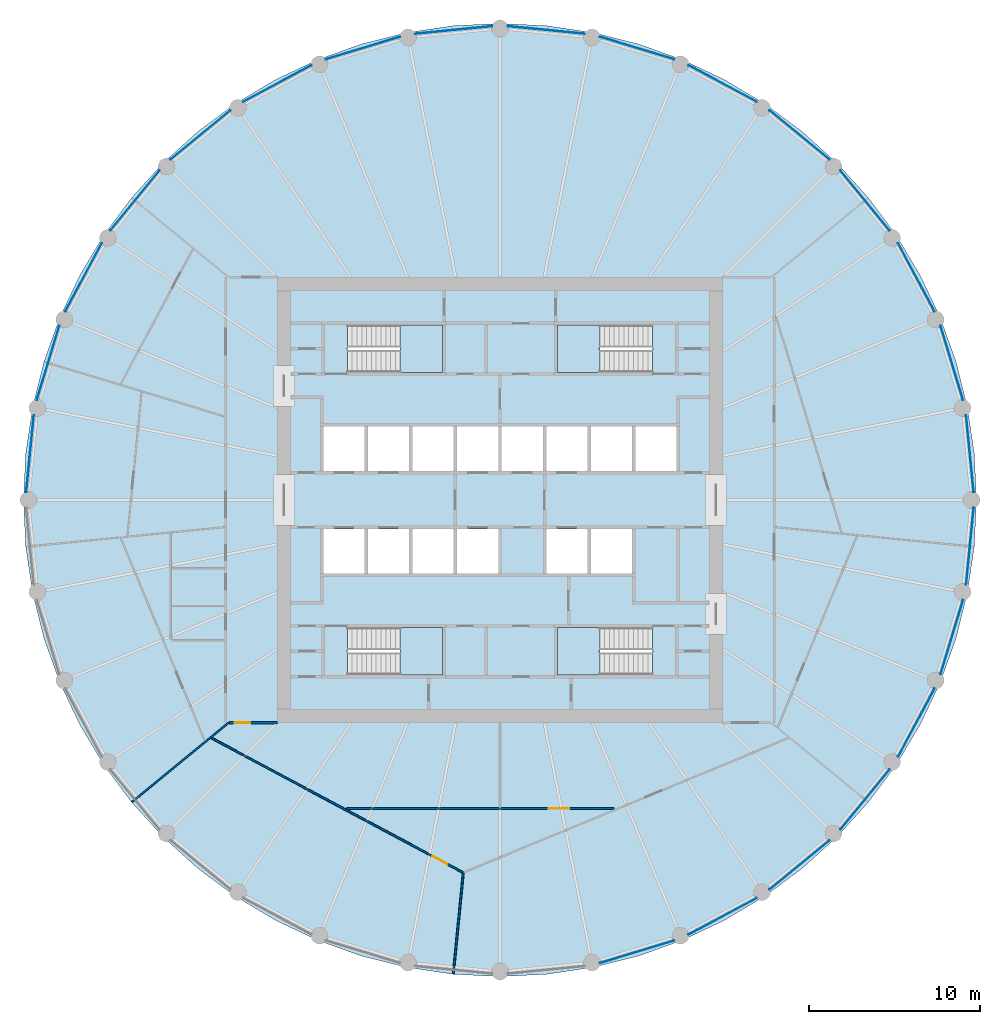
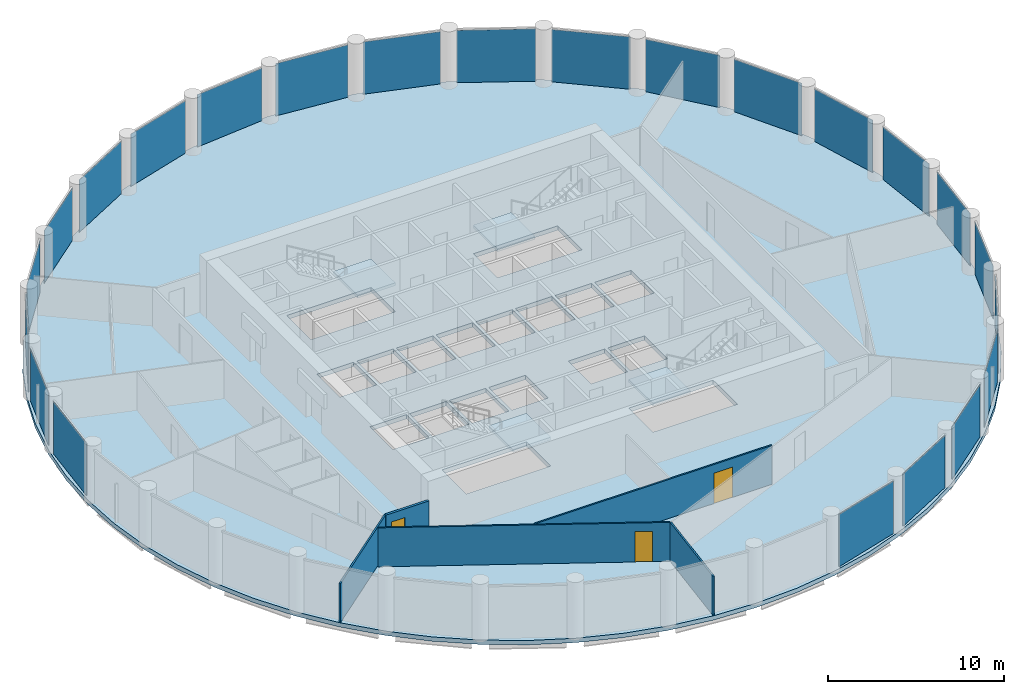
# One storey, part 3 of 9: 23 plates, 5 slabs, 5 walls, 3 doors, 3 openings, 27 elements without a shape of their own.
"""IFC4 building model written with IfcOpenShell, lengths in metres."""

from ifc_helpers import new_model, si_unit, direction, frame, frame_2d, origin, origin_2d, place, context, subcontext, project, spatial, polyline, rectangle, outline, extrude, material, layer, layer_set, type_object, element, fill, aggregate, save


model = new_model("IFC4")

# Units and contexts
model_context = context("Model", 3, precision=1e-05, world=origin(), true_north=direction((0.0, 1.0)))
body_context = subcontext(model_context, "Body", "Model", "MODEL_VIEW")
ifc_project = project(units=[si_unit("LENGTHUNIT", "METRE"), si_unit("AREAUNIT", "SQUARE_METRE"), si_unit("VOLUMEUNIT", "CUBIC_METRE"), si_unit("PLANEANGLEUNIT", "RADIAN"), si_unit("MASSUNIT", "GRAM", prefix="KILO")], contexts=[model_context])

# Site, building, storey
site_placement = place(None, origin())
site = spatial("IfcSite", under=ifc_project, at=site_placement, CompositionType="ELEMENT")
building_placement = place(site_placement, origin())
building = spatial("IfcBuilding", under=site, at=building_placement, Name="Corvane Civic Tower", CompositionType="ELEMENT")
storey_placement = place(building_placement, frame((0.0, 0.0, 225.5)))
storey = spatial("IfcBuildingStorey", under=building, at=storey_placement, Name="L53", CompositionType="ELEMENT", Elevation=225.5)

# Slab
ifc_material_1 = material(Name="Concrete C40/50", Category="concrete")
ifc_layer_1 = layer(ifc_material_1, 0.300048828125)
ifc_layer_set_1 = layer_set([ifc_layer_1], Name="Concrete C40/50")
slab_type_1 = type_object("IfcSlabType", Name="FLOOR SLAB 300", PredefinedType="FLOOR", material=ifc_layer_set_1)
slab_1_placement = place(storey_placement, frame((0.0, 0.0, -0.300048828125)))
element("IfcSlab", 1, at=slab_1_placement, inside=storey, type_object=slab_type_1, Name="SLB-L53", PredefinedType="FLOOR", context=body_context, shape_type="SweptSolid", body=[
    extrude(outline(polyline([(0.0, 27.800048828125), (-2.724853515625, 27.666015625), (-5.423583984375, 27.265869140625), (-8.06982421875, 26.60302734375), (-10.638671875, 25.683837890625), (-13.104736328125, 24.517333984375), (-15.44482421875, 23.11474609375), (-17.63623046875, 21.48974609375), (-19.657470703125, 19.657470703125), (-21.48974609375, 17.63623046875), (-23.11474609375, 15.44482421875), (-24.517333984375, 13.104736328125), (-25.683837890625, 10.638671875), (-26.60302734375, 8.06982421875), (-27.265869140625, 5.423583984375), (-27.666015625, 2.724853515625), (-27.800048828125, 0.0), (-27.666015625, -2.724853515625), (-27.265869140625, -5.423583984375), (-26.60302734375, -8.06982421875), (-25.683837890625, -10.638671875), (-24.517333984375, -13.104736328125), (-23.11474609375, -15.44482421875), (-21.48974609375, -17.63623046875), (-19.657470703125, -19.657470703125), (-17.63623046875, -21.48974609375), (-15.44482421875, -23.11474609375), (-13.104736328125, -24.517333984375), (-10.638671875, -25.683837890625), (-8.06982421875, -26.60302734375), (-5.423583984375, -27.265869140625), (-2.724853515625, -27.666015625), (0.0, -27.800048828125), (2.724853515625, -27.666015625), (5.423583984375, -27.265869140625), (8.06982421875, -26.60302734375), (10.638671875, -25.683837890625), (13.104736328125, -24.517333984375), (15.44482421875, -23.11474609375), (17.63623046875, -21.48974609375), (19.657470703125, -19.657470703125), (21.48974609375, -17.63623046875), (23.11474609375, -15.44482421875), (24.517333984375, -13.104736328125), (25.683837890625, -10.638671875), (26.60302734375, -8.06982421875), (27.265869140625, -5.423583984375), (27.666015625, -2.724853515625), (27.800048828125, 0.0), (27.666015625, 2.724853515625), (27.265869140625, 5.423583984375), (26.60302734375, 8.06982421875), (25.683837890625, 10.638671875), (24.517333984375, 13.104736328125), (23.11474609375, 15.44482421875), (21.48974609375, 17.63623046875), (19.657470703125, 19.657470703125), (17.63623046875, 21.48974609375), (15.44482421875, 23.11474609375), (13.104736328125, 24.517333984375), (10.638671875, 25.683837890625), (8.06982421875, 26.60302734375), (5.423583984375, 27.265869140625), (2.724853515625, 27.666015625), (0.0, 27.800048828125)]), holes=[polyline([(-7.89990234375, 1.699951171875), (-10.300048828125, 1.699951171875), (-10.300048828125, 4.300048828125), (-7.89990234375, 4.300048828125), (-7.89990234375, 1.699951171875)]), polyline([(-5.300048828125, 1.699951171875), (-7.699951171875, 1.699951171875), (-7.699951171875, 4.300048828125), (-5.300048828125, 4.300048828125), (-5.300048828125, 1.699951171875)]), polyline([(-5.10009765625, 4.300048828125), (-2.699951171875, 4.300048828125), (-2.699951171875, 1.699951171875), (-5.10009765625, 1.699951171875), (-5.10009765625, 4.300048828125)]), polyline([(-2.5, 4.300048828125), (-0.10009765625, 4.300048828125), (-0.10009765625, 1.699951171875), (-2.5, 1.699951171875), (-2.5, 4.300048828125)]), polyline([(0.10009765625, 4.300048828125), (2.5, 4.300048828125), (2.5, 1.699951171875), (0.10009765625, 1.699951171875), (0.10009765625, 4.300048828125)]), polyline([(5.10009765625, 4.300048828125), (5.10009765625, 1.699951171875), (2.699951171875, 1.699951171875), (2.699951171875, 4.300048828125), (5.10009765625, 4.300048828125)]), polyline([(5.300048828125, 4.300048828125), (7.699951171875, 4.300048828125), (7.699951171875, 1.699951171875), (5.300048828125, 1.699951171875), (5.300048828125, 4.300048828125)]), polyline([(7.89990234375, 4.300048828125), (10.300048828125, 4.300048828125), (10.300048828125, 1.699951171875), (7.89990234375, 1.699951171875), (7.89990234375, 4.300048828125)]), polyline([(-10.300048828125, -4.300048828125), (-10.300048828125, -1.699951171875), (-7.89990234375, -1.699951171875), (-7.89990234375, -4.300048828125), (-10.300048828125, -4.300048828125)]), polyline([(-7.699951171875, -4.300048828125), (-7.699951171875, -1.699951171875), (-5.300048828125, -1.699951171875), (-5.300048828125, -4.300048828125), (-7.699951171875, -4.300048828125)]), polyline([(-2.699951171875, -4.300048828125), (-5.10009765625, -4.300048828125), (-5.10009765625, -1.699951171875), (-2.699951171875, -1.699951171875), (-2.699951171875, -4.300048828125)]), polyline([(-0.10009765625, -4.300048828125), (-2.5, -4.300048828125), (-2.5, -1.699951171875), (-0.10009765625, -1.699951171875), (-0.10009765625, -4.300048828125)]), polyline([(5.10009765625, -1.699951171875), (5.10009765625, -4.300048828125), (2.699951171875, -4.300048828125), (2.699951171875, -1.699951171875), (5.10009765625, -1.699951171875)]), polyline([(7.699951171875, -1.699951171875), (7.699951171875, -4.300048828125), (5.300048828125, -4.300048828125), (5.300048828125, -1.699951171875), (7.699951171875, -1.699951171875)]), polyline([(8.889892578125, 10.199951171875), (8.889892578125, 7.449951171875), (3.35009765625, 7.449951171875), (3.35009765625, 10.199951171875), (8.889892578125, 10.199951171875)]), polyline([(-8.889892578125, 7.449951171875), (-8.889892578125, 10.199951171875), (-3.35009765625, 10.199951171875), (-3.35009765625, 7.449951171875), (-8.889892578125, 7.449951171875)]), polyline([(8.889892578125, -7.449951171875), (8.889892578125, -10.199951171875), (3.35009765625, -10.199951171875), (3.35009765625, -7.449951171875), (8.889892578125, -7.449951171875)]), polyline([(-8.889892578125, -10.199951171875), (-8.889892578125, -7.449951171875), (-3.35009765625, -7.449951171875), (-3.35009765625, -10.199951171875), (-8.889892578125, -10.199951171875)])]), origin(), (0.0, 0.0, 1.0), 0.300048828125),
])

# Stair, slab
ifc_material_2 = material(Name="Concrete C40/50", Category="concrete")
stair_type = type_object("IfcStairType", Name="ST-STAIR-HALFTURN", PredefinedType="HALF_TURN_STAIR", material=ifc_material_2)
stair_1_placement = place(storey_placement, origin())
stair_1 = element("IfcStair", 2, at=stair_1_placement, inside=storey, type_object=stair_type, Name="L53 Exit stair ST1", PredefinedType="HALF_TURN_STAIR")
ifc_material_3 = material(Name="Concrete C40/50", Category="concrete")
ifc_layer_2 = layer(ifc_material_3, 0.199951171875)
ifc_layer_set_2 = layer_set([ifc_layer_2], Name="Concrete C40/50")
slab_type_2 = type_object("IfcSlabType", Name="ST-LANDING-RC", PredefinedType="LANDING", material=ifc_layer_set_2)
slab_2_placement = place(storey_placement, frame((0.0, 0.0, 1.800048828125)))
slab_2 = element("IfcSlab", 3, at=slab_2_placement, type_object=slab_type_2, Name="ST1 landing 1", PredefinedType="LANDING", context=body_context, shape_type="SweptSolid", body=[
    extrude(outline(polyline([(5.820068359375, 10.199951171875), (3.35009765625, 10.199951171875), (3.35009765625, 7.449951171875), (5.820068359375, 7.449951171875), (5.820068359375, 10.199951171875)])), origin(), (0.0, 0.0, 1.0), 0.199951171875),
])
aggregate(stair_1, [slab_2])

stair_2_placement = place(storey_placement, origin())
stair_2 = element("IfcStair", 4, at=stair_2_placement, inside=storey, type_object=stair_type, Name="L53 Exit stair ST2", PredefinedType="HALF_TURN_STAIR")
slab_3_placement = place(storey_placement, frame((0.0, 0.0, 1.800048828125)))
slab_3 = element("IfcSlab", 5, at=slab_3_placement, type_object=slab_type_2, Name="ST2 landing 1", PredefinedType="LANDING", context=body_context, shape_type="SweptSolid", body=[
    extrude(outline(polyline([(5.820068359375, -7.449951171875), (3.35009765625, -7.449951171875), (3.35009765625, -10.199951171875), (5.820068359375, -10.199951171875), (5.820068359375, -7.449951171875)])), origin(), (0.0, 0.0, 1.0), 0.199951171875),
])
aggregate(stair_2, [slab_3])

stair_3_placement = place(storey_placement, origin())
stair_3 = element("IfcStair", 6, at=stair_3_placement, inside=storey, type_object=stair_type, Name="L53 Exit stair ST3", PredefinedType="HALF_TURN_STAIR")
slab_4_placement = place(storey_placement, frame((0.0, 0.0, 1.800048828125)))
slab_4 = element("IfcSlab", 7, at=slab_4_placement, type_object=slab_type_2, Name="ST3 landing 1", PredefinedType="LANDING", context=body_context, shape_type="SweptSolid", body=[
    extrude(outline(polyline([(-5.820068359375, -10.199951171875), (-3.35009765625, -10.199951171875), (-3.35009765625, -7.449951171875), (-5.820068359375, -7.449951171875), (-5.820068359375, -10.199951171875)])), origin(), (0.0, 0.0, 1.0), 0.199951171875),
])
aggregate(stair_3, [slab_4])

stair_4_placement = place(storey_placement, origin())
stair_4 = element("IfcStair", 8, at=stair_4_placement, inside=storey, type_object=stair_type, Name="L53 Exit stair ST4", PredefinedType="HALF_TURN_STAIR")
slab_5_placement = place(storey_placement, frame((0.0, 0.0, 1.800048828125)))
slab_5 = element("IfcSlab", 9, at=slab_5_placement, type_object=slab_type_2, Name="ST4 landing 1", PredefinedType="LANDING", context=body_context, shape_type="SweptSolid", body=[
    extrude(outline(polyline([(-5.820068359375, 7.449951171875), (-3.35009765625, 7.449951171875), (-3.35009765625, 10.199951171875), (-5.820068359375, 10.199951171875), (-5.820068359375, 7.449951171875)])), origin(), (0.0, 0.0, 1.0), 0.199951171875),
])
aggregate(stair_4, [slab_5])

# Curtain wall, plate
ifc_material_4 = material(Name="Anodised aluminium bronze", Category="aluminium")
curtain_wall_type = type_object("IfcCurtainWallType", Name="TOWER CW-T2 STICK CURTAIN WALL", PredefinedType="NOTDEFINED", material=ifc_material_4)
curtain_wall_1_placement = place(storey_placement, origin())
curtain_wall_1 = element("IfcCurtainWall", 10, at=curtain_wall_1_placement, inside=storey, type_object=curtain_wall_type, Name="Curtain wall CW-T2 L53 bay 01", PredefinedType="NOTDEFINED")
ifc_material_5 = material(Name="Tinted glass", Category="glass")
ifc_layer_3 = layer(ifc_material_5, 0.031982421875)
ifc_layer_set_3 = layer_set([ifc_layer_3], Name="Tinted glass")
plate_type = type_object("IfcPlateType", Name="TOWER CW-T2 PANEL IGU32", PredefinedType="CURTAIN_PANEL", material=ifc_layer_set_3)
plate_1_placement = place(storey_placement, frame((2.699951171875, 27.4140625, 0.0), z_axis=(0.0, 0.0, 1.0), x_axis=(0.995187058378, -0.097993463235, 0.0)))
plate_1 = element("IfcPlate", 11, at=plate_1_placement, type_object=plate_type, Name="Glass panel CW-T2 L53 01.1", PredefinedType="CURTAIN_PANEL", context=body_context, shape_type="SweptSolid", body=[
    extrude(rectangle(XDim=4.517333984375, YDim=0.031982421875, at=origin_2d()), origin(), (0.0, 0.0, 1.0), 3.6298828125),
])
aggregate(curtain_wall_1, [plate_1])

curtain_wall_2_placement = place(storey_placement, origin())
curtain_wall_2 = element("IfcCurtainWall", 12, at=curtain_wall_2_placement, inside=storey, type_object=curtain_wall_type, Name="Curtain wall CW-T2 L53 bay 02", PredefinedType="NOTDEFINED")
plate_2_placement = place(storey_placement, frame((7.996337890625, 26.360595703125, 0.0), z_axis=(0.0, 0.0, 1.0), x_axis=(0.956938843612, -0.290289596069, 0.0)))
plate_2 = element("IfcPlate", 13, at=plate_2_placement, type_object=plate_type, Name="Glass panel CW-T2 L53 02.1", PredefinedType="CURTAIN_PANEL", context=body_context, shape_type="SweptSolid", body=[
    extrude(rectangle(XDim=4.517333984375, YDim=0.031982421875, at=origin_2d()), origin(), (0.0, 0.0, 1.0), 3.6298828125),
])
aggregate(curtain_wall_2, [plate_2])

curtain_wall_3_placement = place(storey_placement, origin())
curtain_wall_3 = element("IfcCurtainWall", 14, at=curtain_wall_3_placement, inside=storey, type_object=curtain_wall_type, Name="Curtain wall CW-T2 L53 bay 03", PredefinedType="NOTDEFINED")
plate_3_placement = place(storey_placement, frame((12.9853515625, 24.294189453125, 0.0), z_axis=(0.0, 0.0, 1.0), x_axis=(0.881920381001, -0.471398389449, 0.0)))
plate_3 = element("IfcPlate", 15, at=plate_3_placement, type_object=plate_type, Name="Glass panel CW-T2 L53 03.1", PredefinedType="CURTAIN_PANEL", context=body_context, shape_type="SweptSolid", body=[
    extrude(rectangle(XDim=4.517333984375, YDim=0.031982421875, at=origin_2d()), origin(), (0.0, 0.0, 1.0), 3.6298828125),
])
aggregate(curtain_wall_3, [plate_3])

curtain_wall_4_placement = place(storey_placement, origin())
curtain_wall_4 = element("IfcCurtainWall", 16, at=curtain_wall_4_placement, inside=storey, type_object=curtain_wall_type, Name="Curtain wall CW-T2 L53 bay 04", PredefinedType="NOTDEFINED")
plate_4_placement = place(storey_placement, frame((17.475341796875, 21.2939453125, 0.0), z_axis=(0.0, 0.0, 1.0), x_axis=(0.773012269331, -0.634391071394, 0.0)))
plate_4 = element("IfcPlate", 17, at=plate_4_placement, type_object=plate_type, Name="Glass panel CW-T2 L53 04.1", PredefinedType="CURTAIN_PANEL", context=body_context, shape_type="SweptSolid", body=[
    extrude(rectangle(XDim=4.517333984375, YDim=0.031982421875, at=origin_2d()), origin(), (0.0, 0.0, 1.0), 3.6298828125),
])
aggregate(curtain_wall_4, [plate_4])

curtain_wall_5_placement = place(storey_placement, origin())
curtain_wall_5 = element("IfcCurtainWall", 18, at=curtain_wall_5_placement, inside=storey, type_object=curtain_wall_type, Name="Curtain wall CW-T2 L53 bay 05", PredefinedType="NOTDEFINED")
plate_5_placement = place(storey_placement, frame((21.2939453125, 17.475341796875, 0.0), z_axis=(0.0, 0.0, 1.0), x_axis=(0.634391071394, -0.773012269331, 0.0)))
plate_5 = element("IfcPlate", 19, at=plate_5_placement, type_object=plate_type, Name="Glass panel CW-T2 L53 05.1", PredefinedType="CURTAIN_PANEL", context=body_context, shape_type="SweptSolid", body=[
    extrude(rectangle(XDim=4.517333984375, YDim=0.031982421875, at=origin_2d()), origin(), (0.0, 0.0, 1.0), 3.6298828125),
])
aggregate(curtain_wall_5, [plate_5])

curtain_wall_6_placement = place(storey_placement, origin())
curtain_wall_6 = element("IfcCurtainWall", 20, at=curtain_wall_6_placement, inside=storey, type_object=curtain_wall_type, Name="Curtain wall CW-T2 L53 bay 06", PredefinedType="NOTDEFINED")
plate_6_placement = place(storey_placement, frame((24.294189453125, 12.9853515625, 0.0), z_axis=(0.0, 0.0, 1.0), x_axis=(0.471398389449, -0.881920381001, 0.0)))
plate_6 = element("IfcPlate", 21, at=plate_6_placement, type_object=plate_type, Name="Glass panel CW-T2 L53 06.1", PredefinedType="CURTAIN_PANEL", context=body_context, shape_type="SweptSolid", body=[
    extrude(rectangle(XDim=4.517333984375, YDim=0.031982421875, at=origin_2d()), origin(), (0.0, 0.0, 1.0), 3.6298828125),
])
aggregate(curtain_wall_6, [plate_6])

curtain_wall_7_placement = place(storey_placement, origin())
curtain_wall_7 = element("IfcCurtainWall", 22, at=curtain_wall_7_placement, inside=storey, type_object=curtain_wall_type, Name="Curtain wall CW-T2 L53 bay 07", PredefinedType="NOTDEFINED")
plate_7_placement = place(storey_placement, frame((26.360595703125, 7.996337890625, 0.0), z_axis=(0.0, 0.0, 1.0), x_axis=(0.290289596069, -0.956938843612, 0.0)))
plate_7 = element("IfcPlate", 23, at=plate_7_placement, type_object=plate_type, Name="Glass panel CW-T2 L53 07.1", PredefinedType="CURTAIN_PANEL", context=body_context, shape_type="SweptSolid", body=[
    extrude(rectangle(XDim=4.517333984375, YDim=0.031982421875, at=origin_2d()), origin(), (0.0, 0.0, 1.0), 3.6298828125),
])
aggregate(curtain_wall_7, [plate_7])

curtain_wall_8_placement = place(storey_placement, origin())
curtain_wall_8 = element("IfcCurtainWall", 24, at=curtain_wall_8_placement, inside=storey, type_object=curtain_wall_type, Name="Curtain wall CW-T2 L53 bay 08", PredefinedType="NOTDEFINED")
plate_8_placement = place(storey_placement, frame((27.4140625, 2.699951171875, 0.0), z_axis=(0.0, 0.0, 1.0), x_axis=(0.097993463235, -0.995187058378, 0.0)))
plate_8 = element("IfcPlate", 25, at=plate_8_placement, type_object=plate_type, Name="Glass panel CW-T2 L53 08.1", PredefinedType="CURTAIN_PANEL", context=body_context, shape_type="SweptSolid", body=[
    extrude(rectangle(XDim=4.517333984375, YDim=0.031982421875, at=origin_2d()), origin(), (0.0, 0.0, 1.0), 3.6298828125),
])
aggregate(curtain_wall_8, [plate_8])

curtain_wall_9_placement = place(storey_placement, origin())
curtain_wall_9 = element("IfcCurtainWall", 26, at=curtain_wall_9_placement, inside=storey, type_object=curtain_wall_type, Name="Curtain wall CW-T2 L53 bay 09", PredefinedType="NOTDEFINED")
plate_9_placement = place(storey_placement, frame((27.4140625, -2.699951171875, 0.0), z_axis=(0.0, 0.0, 1.0), x_axis=(-0.097993463235, -0.995187058378, 0.0)))
plate_9 = element("IfcPlate", 27, at=plate_9_placement, type_object=plate_type, Name="Glass panel CW-T2 L53 09.1", PredefinedType="CURTAIN_PANEL", context=body_context, shape_type="SweptSolid", body=[
    extrude(rectangle(XDim=4.517333984375, YDim=0.031982421875, at=origin_2d()), origin(), (0.0, 0.0, 1.0), 3.6298828125),
])
aggregate(curtain_wall_9, [plate_9])

curtain_wall_10_placement = place(storey_placement, origin())
curtain_wall_10 = element("IfcCurtainWall", 28, at=curtain_wall_10_placement, inside=storey, type_object=curtain_wall_type, Name="Curtain wall CW-T2 L53 bay 10", PredefinedType="NOTDEFINED")
plate_10_placement = place(storey_placement, frame((26.360595703125, -7.996337890625, 0.0), z_axis=(0.0, 0.0, 1.0), x_axis=(-0.290289596069, -0.956938843612, 0.0)))
plate_10 = element("IfcPlate", 29, at=plate_10_placement, type_object=plate_type, Name="Glass panel CW-T2 L53 10.1", PredefinedType="CURTAIN_PANEL", context=body_context, shape_type="SweptSolid", body=[
    extrude(rectangle(XDim=4.517333984375, YDim=0.031982421875, at=origin_2d()), origin(), (0.0, 0.0, 1.0), 3.6298828125),
])
aggregate(curtain_wall_10, [plate_10])

curtain_wall_11_placement = place(storey_placement, origin())
curtain_wall_11 = element("IfcCurtainWall", 30, at=curtain_wall_11_placement, inside=storey, type_object=curtain_wall_type, Name="Curtain wall CW-T2 L53 bay 11", PredefinedType="NOTDEFINED")
plate_11_placement = place(storey_placement, frame((24.294189453125, -12.9853515625, 0.0), z_axis=(0.0, 0.0, 1.0), x_axis=(-0.471398389449, -0.881920381001, 0.0)))
plate_11 = element("IfcPlate", 31, at=plate_11_placement, type_object=plate_type, Name="Glass panel CW-T2 L53 11.1", PredefinedType="CURTAIN_PANEL", context=body_context, shape_type="SweptSolid", body=[
    extrude(rectangle(XDim=4.517333984375, YDim=0.031982421875, at=origin_2d()), origin(), (0.0, 0.0, 1.0), 3.6298828125),
])
aggregate(curtain_wall_11, [plate_11])

curtain_wall_12_placement = place(storey_placement, origin())
curtain_wall_12 = element("IfcCurtainWall", 32, at=curtain_wall_12_placement, inside=storey, type_object=curtain_wall_type, Name="Curtain wall CW-T2 L53 bay 12", PredefinedType="NOTDEFINED")
plate_12_placement = place(storey_placement, frame((21.2939453125, -17.475341796875, 0.0), z_axis=(0.0, 0.0, 1.0), x_axis=(-0.634391071394, -0.773012269331, 0.0)))
plate_12 = element("IfcPlate", 33, at=plate_12_placement, type_object=plate_type, Name="Glass panel CW-T2 L53 12.1", PredefinedType="CURTAIN_PANEL", context=body_context, shape_type="SweptSolid", body=[
    extrude(rectangle(XDim=4.517333984375, YDim=0.031982421875, at=origin_2d()), origin(), (0.0, 0.0, 1.0), 3.6298828125),
])
aggregate(curtain_wall_12, [plate_12])

curtain_wall_13_placement = place(storey_placement, origin())
curtain_wall_13 = element("IfcCurtainWall", 34, at=curtain_wall_13_placement, inside=storey, type_object=curtain_wall_type, Name="Curtain wall CW-T2 L53 bay 13", PredefinedType="NOTDEFINED")
plate_13_placement = place(storey_placement, frame((17.475341796875, -21.2939453125, 0.0), z_axis=(0.0, 0.0, 1.0), x_axis=(-0.773012269331, -0.634391071394, 0.0)))
plate_13 = element("IfcPlate", 35, at=plate_13_placement, type_object=plate_type, Name="Glass panel CW-T2 L53 13.1", PredefinedType="CURTAIN_PANEL", context=body_context, shape_type="SweptSolid", body=[
    extrude(rectangle(XDim=4.517333984375, YDim=0.031982421875, at=origin_2d()), origin(), (0.0, 0.0, 1.0), 3.6298828125),
])
aggregate(curtain_wall_13, [plate_13])

curtain_wall_14_placement = place(storey_placement, origin())
curtain_wall_14 = element("IfcCurtainWall", 36, at=curtain_wall_14_placement, inside=storey, type_object=curtain_wall_type, Name="Curtain wall CW-T2 L53 bay 14", PredefinedType="NOTDEFINED")
plate_14_placement = place(storey_placement, frame((12.9853515625, -24.294189453125, 0.0), z_axis=(0.0, 0.0, 1.0), x_axis=(-0.881920381001, -0.471398389449, 0.0)))
plate_14 = element("IfcPlate", 37, at=plate_14_placement, type_object=plate_type, Name="Glass panel CW-T2 L53 14.1", PredefinedType="CURTAIN_PANEL", context=body_context, shape_type="SweptSolid", body=[
    extrude(rectangle(XDim=4.517333984375, YDim=0.031982421875, at=origin_2d()), origin(), (0.0, 0.0, 1.0), 3.6298828125),
])
aggregate(curtain_wall_14, [plate_14])

curtain_wall_15_placement = place(storey_placement, origin())
curtain_wall_15 = element("IfcCurtainWall", 38, at=curtain_wall_15_placement, inside=storey, type_object=curtain_wall_type, Name="Curtain wall CW-T2 L53 bay 15", PredefinedType="NOTDEFINED")
plate_15_placement = place(storey_placement, frame((7.996337890625, -26.360595703125, 0.0), z_axis=(0.0, 0.0, 1.0), x_axis=(-0.956938843612, -0.290289596069, 0.0)))
plate_15 = element("IfcPlate", 39, at=plate_15_placement, type_object=plate_type, Name="Glass panel CW-T2 L53 15.1", PredefinedType="CURTAIN_PANEL", context=body_context, shape_type="SweptSolid", body=[
    extrude(rectangle(XDim=4.517333984375, YDim=0.031982421875, at=origin_2d()), origin(), (0.0, 0.0, 1.0), 3.6298828125),
])
aggregate(curtain_wall_15, [plate_15])

curtain_wall_16_placement = place(storey_placement, origin())
curtain_wall_16 = element("IfcCurtainWall", 40, at=curtain_wall_16_placement, inside=storey, type_object=curtain_wall_type, Name="Curtain wall CW-T2 L53 bay 25", PredefinedType="NOTDEFINED")
plate_16_placement = place(storey_placement, frame((-27.4140625, 2.699951171875, 0.0), z_axis=(0.0, 0.0, 1.0), x_axis=(0.097993463235, 0.995187058378, 0.0)))
plate_16 = element("IfcPlate", 41, at=plate_16_placement, type_object=plate_type, Name="Glass panel CW-T2 L53 25.1", PredefinedType="CURTAIN_PANEL", context=body_context, shape_type="SweptSolid", body=[
    extrude(rectangle(XDim=4.517333984375, YDim=0.031982421875, at=origin_2d()), origin(), (0.0, 0.0, 1.0), 3.6298828125),
])
aggregate(curtain_wall_16, [plate_16])

curtain_wall_17_placement = place(storey_placement, origin())
curtain_wall_17 = element("IfcCurtainWall", 42, at=curtain_wall_17_placement, inside=storey, type_object=curtain_wall_type, Name="Curtain wall CW-T2 L53 bay 26", PredefinedType="NOTDEFINED")
plate_17_placement = place(storey_placement, frame((-26.360595703125, 7.996337890625, 0.0), z_axis=(0.0, 0.0, 1.0), x_axis=(0.290289596069, 0.956938843612, 0.0)))
plate_17 = element("IfcPlate", 43, at=plate_17_placement, type_object=plate_type, Name="Glass panel CW-T2 L53 26.1", PredefinedType="CURTAIN_PANEL", context=body_context, shape_type="SweptSolid", body=[
    extrude(rectangle(XDim=4.517333984375, YDim=0.031982421875, at=origin_2d()), origin(), (0.0, 0.0, 1.0), 3.6298828125),
])
aggregate(curtain_wall_17, [plate_17])

curtain_wall_18_placement = place(storey_placement, origin())
curtain_wall_18 = element("IfcCurtainWall", 44, at=curtain_wall_18_placement, inside=storey, type_object=curtain_wall_type, Name="Curtain wall CW-T2 L53 bay 27", PredefinedType="NOTDEFINED")
plate_18_placement = place(storey_placement, frame((-24.294189453125, 12.9853515625, 0.0), z_axis=(0.0, 0.0, 1.0), x_axis=(0.471398389449, 0.881920381001, 0.0)))
plate_18 = element("IfcPlate", 45, at=plate_18_placement, type_object=plate_type, Name="Glass panel CW-T2 L53 27.1", PredefinedType="CURTAIN_PANEL", context=body_context, shape_type="SweptSolid", body=[
    extrude(rectangle(XDim=4.517333984375, YDim=0.031982421875, at=origin_2d()), origin(), (0.0, 0.0, 1.0), 3.6298828125),
])
aggregate(curtain_wall_18, [plate_18])

curtain_wall_19_placement = place(storey_placement, origin())
curtain_wall_19 = element("IfcCurtainWall", 46, at=curtain_wall_19_placement, inside=storey, type_object=curtain_wall_type, Name="Curtain wall CW-T2 L53 bay 28", PredefinedType="NOTDEFINED")
plate_19_placement = place(storey_placement, frame((-21.2939453125, 17.475341796875, 0.0), z_axis=(0.0, 0.0, 1.0), x_axis=(0.634391071394, 0.773012269331, 0.0)))
plate_19 = element("IfcPlate", 47, at=plate_19_placement, type_object=plate_type, Name="Glass panel CW-T2 L53 28.1", PredefinedType="CURTAIN_PANEL", context=body_context, shape_type="SweptSolid", body=[
    extrude(rectangle(XDim=4.517333984375, YDim=0.031982421875, at=origin_2d()), origin(), (0.0, 0.0, 1.0), 3.6298828125),
])
aggregate(curtain_wall_19, [plate_19])

curtain_wall_20_placement = place(storey_placement, origin())
curtain_wall_20 = element("IfcCurtainWall", 48, at=curtain_wall_20_placement, inside=storey, type_object=curtain_wall_type, Name="Curtain wall CW-T2 L53 bay 29", PredefinedType="NOTDEFINED")
plate_20_placement = place(storey_placement, frame((-17.475341796875, 21.2939453125, 0.0), z_axis=(0.0, 0.0, 1.0), x_axis=(0.773012269331, 0.634391071394, 0.0)))
plate_20 = element("IfcPlate", 49, at=plate_20_placement, type_object=plate_type, Name="Glass panel CW-T2 L53 29.1", PredefinedType="CURTAIN_PANEL", context=body_context, shape_type="SweptSolid", body=[
    extrude(rectangle(XDim=4.517333984375, YDim=0.031982421875, at=origin_2d()), origin(), (0.0, 0.0, 1.0), 3.6298828125),
])
aggregate(curtain_wall_20, [plate_20])

curtain_wall_21_placement = place(storey_placement, origin())
curtain_wall_21 = element("IfcCurtainWall", 50, at=curtain_wall_21_placement, inside=storey, type_object=curtain_wall_type, Name="Curtain wall CW-T2 L53 bay 30", PredefinedType="NOTDEFINED")
plate_21_placement = place(storey_placement, frame((-12.9853515625, 24.294189453125, 0.0), z_axis=(0.0, 0.0, 1.0), x_axis=(0.881920381001, 0.471398389449, 0.0)))
plate_21 = element("IfcPlate", 51, at=plate_21_placement, type_object=plate_type, Name="Glass panel CW-T2 L53 30.1", PredefinedType="CURTAIN_PANEL", context=body_context, shape_type="SweptSolid", body=[
    extrude(rectangle(XDim=4.517333984375, YDim=0.031982421875, at=origin_2d()), origin(), (0.0, 0.0, 1.0), 3.6298828125),
])
aggregate(curtain_wall_21, [plate_21])

curtain_wall_22_placement = place(storey_placement, origin())
curtain_wall_22 = element("IfcCurtainWall", 52, at=curtain_wall_22_placement, inside=storey, type_object=curtain_wall_type, Name="Curtain wall CW-T2 L53 bay 31", PredefinedType="NOTDEFINED")
plate_22_placement = place(storey_placement, frame((-7.996337890625, 26.360595703125, 0.0), z_axis=(0.0, 0.0, 1.0), x_axis=(0.956938843612, 0.290289596069, 0.0)))
plate_22 = element("IfcPlate", 53, at=plate_22_placement, type_object=plate_type, Name="Glass panel CW-T2 L53 31.1", PredefinedType="CURTAIN_PANEL", context=body_context, shape_type="SweptSolid", body=[
    extrude(rectangle(XDim=4.517333984375, YDim=0.031982421875, at=origin_2d()), origin(), (0.0, 0.0, 1.0), 3.6298828125),
])
aggregate(curtain_wall_22, [plate_22])

curtain_wall_23_placement = place(storey_placement, origin())
curtain_wall_23 = element("IfcCurtainWall", 54, at=curtain_wall_23_placement, inside=storey, type_object=curtain_wall_type, Name="Curtain wall CW-T2 L53 bay 32", PredefinedType="NOTDEFINED")
plate_23_placement = place(storey_placement, frame((-2.699951171875, 27.4140625, 0.0), z_axis=(0.0, 0.0, 1.0), x_axis=(0.995187058378, 0.097993463235, 0.0)))
plate_23 = element("IfcPlate", 55, at=plate_23_placement, type_object=plate_type, Name="Glass panel CW-T2 L53 32.1", PredefinedType="CURTAIN_PANEL", context=body_context, shape_type="SweptSolid", body=[
    extrude(rectangle(XDim=4.517333984375, YDim=0.031982421875, at=origin_2d()), origin(), (0.0, 0.0, 1.0), 3.6298828125),
])
aggregate(curtain_wall_23, [plate_23])

# Wall
ifc_material_6 = material(Name="Plasterboard")
ifc_layer_4 = layer(ifc_material_6, 0.10009765625)
ifc_layer_set_4 = layer_set([ifc_layer_4], Name="Plasterboard")
wall_type_1 = type_object("IfcWallType", Name="Partition 100 plasterboard on studs", PredefinedType="PARTITIONING", material=ifc_layer_set_4)
wall_1_placement = place(storey_placement, frame((-2.719970703125, -27.616455078125, 0.0), z_axis=(0.0, 0.0, 1.0), x_axis=(0.098009744107, 0.995185455109, 0.0)))
element("IfcWall", 56, at=wall_1_placement, inside=storey, type_object=wall_type_1, Name="Partition L53.001", PredefinedType="PARTITIONING", context=body_context, shape_type="SweptSolid", body=[
    extrude(rectangle(XDim=5.873779296875, YDim=0.10009765625, at=frame_2d((2.93701171875, 0.0))), origin(), (0.0, 0.0, 1.0), 2.699951171875),
])

# Wall, opening, door
wall_2_placement = place(storey_placement, frame((-16.81884765625, -13.892333984375, 0.0), z_axis=(0.0, 0.0, 1.0), x_axis=(0.881919236534, -0.471400530581, 0.0)))
wall_2 = element("IfcWall", 57, at=wall_2_placement, inside=storey, type_object=wall_type_1, Name="Partition L53.003", PredefinedType="PARTITIONING", context=body_context, shape_type="SweptSolid", body=[
    extrude(rectangle(XDim=16.609619140625, YDim=0.10009765625, at=frame_2d((8.3046875, 0.0))), origin(), (0.0, 0.0, 1.0), 2.699951171875),
])
opening_1_placement = place(wall_2_placement, frame((14.60888671875, 0.0, 0.0)))
opening_1 = element("IfcOpeningElement", 58, at=opening_1_placement, cuts=wall_2, Name="Opening L53.003", PredefinedType="OPENING", context=body_context, shape_type="SweptSolid", body=[
    extrude(rectangle(XDim=1.0, YDim=2.10009765625, at=frame_2d((0.5, 1.050048828125))), frame((0.0, 0.06005859375, 0.0), z_axis=(0.0, -1.0, 0.0), x_axis=(1.0, 0.0, 0.0)), (0.0, 0.0, 1.0), 0.1201171875),
])
ifc_material_7 = material(Name="Timber", Category="wood")
door_type_1 = type_object("IfcDoorType", Name="Single door 1000", OperationType="NOTDEFINED", PredefinedType="DOOR", material=ifc_material_7)
door_1_placement = place(opening_1_placement, frame((1.0, 0.0, 0.0), z_axis=(0.0, 0.0, 1.0), x_axis=(-1.0, 0.0, 0.0)))
door_1 = element("IfcDoor", 59, at=door_1_placement, inside=storey, type_object=door_type_1, Name="Door L53.003", OperationType="SINGLE_SWING_LEFT", OverallHeight=2.10009765625, OverallWidth=1.0, PredefinedType="DOOR", context=body_context, shape_type="SweptSolid", body=[
    extrude(rectangle(XDim=1.0, YDim=2.10009765625, at=frame_2d((0.5, 1.050048828125))), frame((0.0, 0.02490234375, 0.0), z_axis=(0.0, -1.0, 0.0), x_axis=(1.0, 0.0, 0.0)), (0.0, 0.0, 1.0), 0.050048828125),
])
fill(opening_1, door_1)

wall_3_placement = place(storey_placement, frame((-8.9345703125, -18.0, 0.0), z_axis=(0.0, 0.0, 1.0), x_axis=(1.0, 0.0, 0.0)))
wall_3 = element("IfcWall", 60, at=wall_3_placement, inside=storey, type_object=wall_type_1, Name="Partition L53.004", PredefinedType="PARTITIONING", context=body_context, shape_type="SweptSolid", body=[
    extrude(rectangle(XDim=15.566162109375, YDim=0.10009765625, at=frame_2d((7.783203125, 0.0))), origin(), (0.0, 0.0, 1.0), 2.699951171875),
])
opening_2_placement = place(wall_3_placement, frame((11.77587890625, 0.0, 0.0)))
opening_2 = element("IfcOpeningElement", 61, at=opening_2_placement, cuts=wall_3, Name="Opening L53.004", PredefinedType="OPENING", context=body_context, shape_type="SweptSolid", body=[
    extrude(rectangle(XDim=1.199951171875, YDim=2.10009765625, at=frame_2d((0.60009765625, 1.050048828125))), frame((0.0, 0.06005859375, 0.0), z_axis=(0.0, -1.0, 0.0), x_axis=(1.0, 0.0, 0.0)), (0.0, 0.0, 1.0), 0.1201171875),
])
ifc_material_8 = material(Name="Timber", Category="wood")
door_type_2 = type_object("IfcDoorType", Name="Double door 1200", OperationType="NOTDEFINED", PredefinedType="DOOR", material=ifc_material_8)
door_2_placement = place(opening_2_placement, frame((1.199951171875, 0.0, 0.0), z_axis=(0.0, 0.0, 1.0), x_axis=(-1.0, 0.0, 0.0)))
door_2 = element("IfcDoor", 62, at=door_2_placement, inside=storey, type_object=door_type_2, Name="Door L53.004", OperationType="DOUBLE_DOOR_SINGLE_SWING", OverallHeight=2.10009765625, OverallWidth=1.199951171875, PredefinedType="DOOR", context=body_context, shape_type="SweptSolid", body=[
    extrude(rectangle(XDim=1.199951171875, YDim=2.10009765625, at=frame_2d((0.60009765625, 1.050048828125))), frame((0.0, 0.02490234375, 0.0), z_axis=(0.0, -1.0, 0.0), x_axis=(1.0, 0.0, 0.0)), (0.0, 0.0, 1.0), 0.050048828125),
])
fill(opening_2, door_2)

# Wall
wall_4_placement = place(storey_placement, frame((-21.451171875, -17.6044921875, 0.0), z_axis=(0.0, 0.0, 1.0), x_axis=(0.772997895748, 0.634408585352, 0.0)))
element("IfcWall", 63, at=wall_4_placement, inside=storey, type_object=wall_type_1, Name="Partition L53.006", PredefinedType="PARTITIONING", context=body_context, shape_type="SweptSolid", body=[
    extrude(rectangle(XDim=7.240234375, YDim=0.10009765625, at=frame_2d((3.6201171875, 0.0))), origin(), (0.0, 0.0, 1.0), 2.699951171875),
])

# Wall, opening, door
ifc_material_9 = material(Name="Plasterboard")
ifc_layer_5 = layer(ifc_material_9, 0.14990234375)
ifc_layer_set_5 = layer_set([ifc_layer_5], Name="Plasterboard")
wall_type_2 = type_object("IfcWallType", Name="Tenancy wall 150 EI 60", PredefinedType="PARTITIONING", material=ifc_layer_set_5)
wall_5_placement = place(storey_placement, frame((-15.813720703125, -13.0, 0.0), z_axis=(0.0, 0.0, 1.0), x_axis=(1.0, 0.0, 0.0)))
wall_5 = element("IfcWall", 64, at=wall_5_placement, inside=storey, type_object=wall_type_2, Name="Partition L53.011", PredefinedType="PARTITIONING", context=body_context, shape_type="SweptSolid", body=[
    extrude(rectangle(XDim=2.82373046875, YDim=0.14990234375, at=frame_2d((1.411865234375, 0.0))), origin(), (0.0, 0.0, 1.0), 2.699951171875),
])
opening_3_placement = place(wall_5_placement, frame((0.353759765625, 0.0, 0.0)))
opening_3 = element("IfcOpeningElement", 65, at=opening_3_placement, cuts=wall_5, Name="Opening L53.006", PredefinedType="OPENING", context=body_context, shape_type="SweptSolid", body=[
    extrude(rectangle(XDim=0.89990234375, YDim=2.10009765625, at=frame_2d((0.449951171875, 1.050048828125))), frame((0.0, 0.0849609375, 0.0), z_axis=(0.0, -1.0, 0.0), x_axis=(1.0, 0.0, 0.0)), (0.0, 0.0, 1.0), 0.169921875),
])
ifc_material_10 = material(Name="Steel and timber", Category="steel")
door_type_3 = type_object("IfcDoorType", Name="Fire door FD30S 900", OperationType="NOTDEFINED", PredefinedType="DOOR", material=ifc_material_10)
door_3_placement = place(opening_3_placement, frame((0.89990234375, 0.0, 0.0), z_axis=(0.0, 0.0, 1.0), x_axis=(-1.0, 0.0, 0.0)))
door_3 = element("IfcDoor", 66, at=door_3_placement, inside=storey, type_object=door_type_3, Name="Door L53.006", OperationType="SINGLE_SWING_LEFT", OverallHeight=2.10009765625, OverallWidth=0.89990234375, PredefinedType="DOOR", context=body_context, shape_type="SweptSolid", body=[
    extrude(rectangle(XDim=0.89990234375, YDim=2.10009765625, at=frame_2d((0.449951171875, 1.050048828125))), frame((0.0, 0.02490234375, 0.0), z_axis=(0.0, -1.0, 0.0), x_axis=(1.0, 0.0, 0.0)), (0.0, 0.0, 1.0), 0.050048828125),
])
fill(opening_3, door_3)

save(model, "model.ifc")
